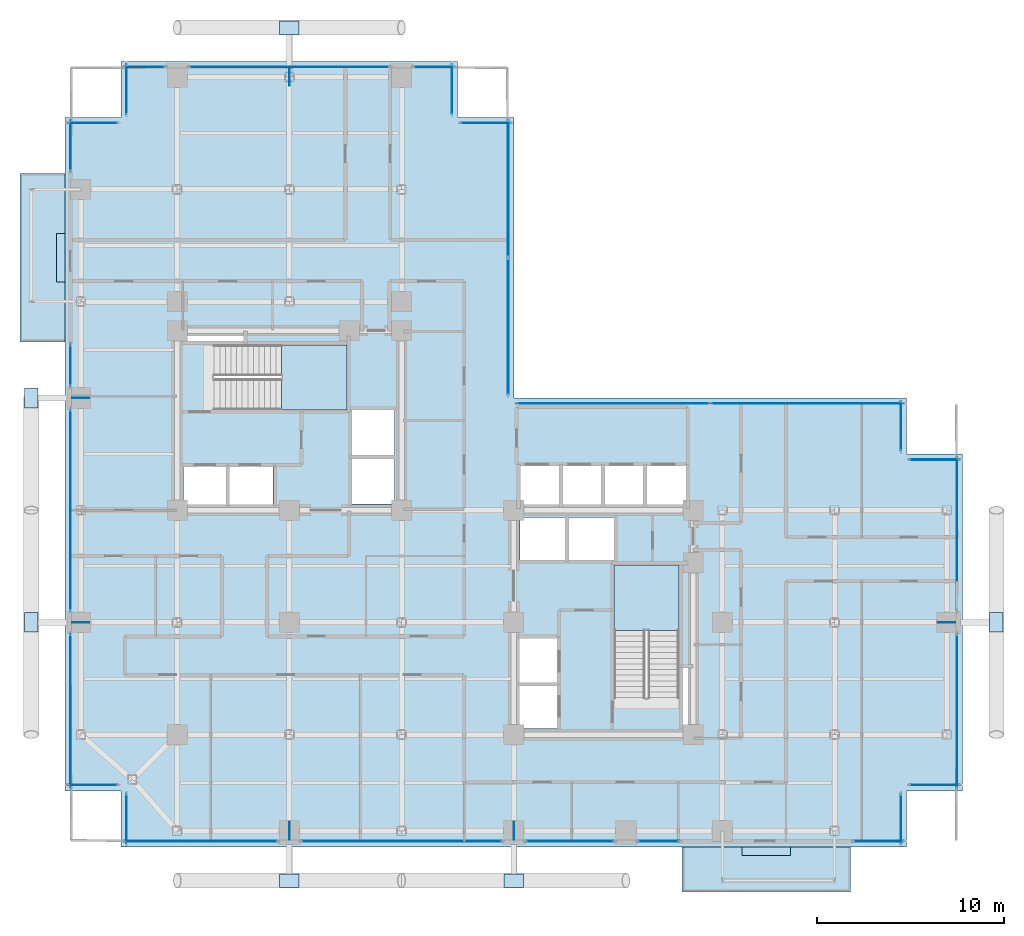
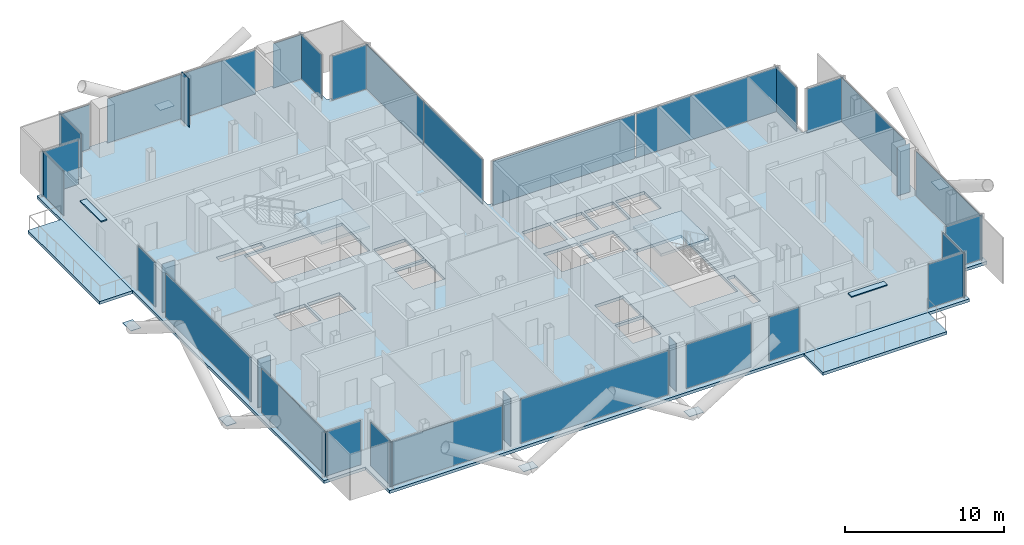
# One storey, part 18 of 28: 42 plates, 5 slabs, 28 elements without a shape of their own.
"""IFC4 building model written with IfcOpenShell, lengths in metres."""

from ifc_helpers import new_model, si_unit, direction, frame, origin, origin_2d, place, context, subcontext, project, spatial, polyline, rectangle, outline, extrude, material, layer, layer_set, type_object, element, aggregate, save


model = new_model("IFC4")

# Units and contexts
model_context = context("Model", 3, precision=1e-05, world=origin(), true_north=direction((0.0, 1.0)))
body_context = subcontext(model_context, "Body", "Model", "MODEL_VIEW")
ifc_project = project(units=[si_unit("LENGTHUNIT", "METRE"), si_unit("AREAUNIT", "SQUARE_METRE"), si_unit("VOLUMEUNIT", "CUBIC_METRE"), si_unit("PLANEANGLEUNIT", "RADIAN"), si_unit("MASSUNIT", "GRAM", prefix="KILO"), si_unit("THERMODYNAMICTEMPERATUREUNIT", "KELVIN"), si_unit("POWERUNIT", "WATT")], contexts=[model_context])

# Site, building, storey
site_placement = place(None, origin())
site = spatial("IfcSite", under=ifc_project, at=site_placement, CompositionType="ELEMENT")
building_placement = place(site_placement, origin())
building = spatial("IfcBuilding", under=site, at=building_placement, Name="Svarakhadi Broadcast Tower", CompositionType="ELEMENT")
storey_placement = place(building_placement, frame((0.0, 0.0, 138.14990234375)))
storey = spatial("IfcBuildingStorey", under=building, at=storey_placement, Name="L33", CompositionType="ELEMENT", Elevation=138.14990234375)

# Curtain wall, plate
ifc_material_1 = material(Name="Anodised Bronze Aluminium AA 6063-T6", Category="aluminium")
ifc_layer_1 = layer(ifc_material_1, 0.199951171875)
ifc_layer_set_1 = layer_set([ifc_layer_1], Name="Anodised Bronze Aluminium AA 6063-T6")
curtain_wall_type = type_object("IfcCurtainWallType", Name="CW_Sys_03", PredefinedType="NOTDEFINED", material=ifc_layer_set_1)
curtain_wall_1_placement = place(storey_placement, origin())
curtain_wall_1 = element("IfcCurtainWall", 1, at=curtain_wall_1_placement, inside=storey, type_object=curtain_wall_type, Name="L33 Unitised Facade Curtain Wall 01", PredefinedType="NOTDEFINED")
ifc_material_2 = material(Name="Double Low-E Laminated Acoustic Glass IGU 36 mm", Category="glass")
ifc_layer_2 = layer(ifc_material_2, 0.035888671875)
ifc_layer_set_2 = layer_set([ifc_layer_2], Name="Double Low-E Laminated Acoustic Glass IGU 36 mm")
plate_type_1 = type_object("IfcPlateType", Name="CW_Sys_03_Pnl", PredefinedType="CURTAIN_PANEL", material=ifc_layer_set_2)
plate_1_placement = place(storey_placement, frame((1.5, 3.300048828125, 0.0703125), z_axis=(0.0, 0.0, 1.0), x_axis=(-1.0, 0.0, 0.0)))
plate_1 = element("IfcPlate", 2, at=plate_1_placement, type_object=plate_type_1, Name="CW-03 panel 1.1", PredefinedType="CURTAIN_PANEL", context=body_context, shape_type="SweptSolid", body=[
    extrude(rectangle(XDim=2.669921875, YDim=0.035888671875, at=origin_2d()), origin(), (0.0, 0.0, 1.0), 3.385009765625),
])
aggregate(curtain_wall_1, [plate_1])

curtain_wall_2_placement = place(storey_placement, origin())
curtain_wall_2 = element("IfcCurtainWall", 3, at=curtain_wall_2_placement, inside=storey, type_object=curtain_wall_type, Name="L33 West Curtain Wall 02 Bay 1", PredefinedType="NOTDEFINED")
plate_2_placement = place(storey_placement, frame((0.300048828125, 7.260009765625, 0.0703125), z_axis=(0.0, 0.0, 1.0), x_axis=(0.0, 1.0, 0.0)))
plate_2 = element("IfcPlate", 4, at=plate_2_placement, type_object=plate_type_1, Name="CW-03 panel 1.1", PredefinedType="CURTAIN_PANEL", context=body_context, shape_type="SweptSolid", body=[
    extrude(rectangle(XDim=8.18994140625, YDim=0.035888671875, at=origin_2d()), origin(), (0.0, 0.0, 1.0), 3.385009765625),
])
aggregate(curtain_wall_2, [plate_2])

curtain_wall_3_placement = place(storey_placement, origin())
curtain_wall_3 = element("IfcCurtainWall", 5, at=curtain_wall_3_placement, inside=storey, type_object=curtain_wall_type, Name="L33 West Curtain Wall 02 Bay 2", PredefinedType="NOTDEFINED")
plate_3_placement = place(storey_placement, frame((0.300048828125, 18.0, 0.0703125), z_axis=(0.0, 0.0, 1.0), x_axis=(0.0, 1.0, 0.0)))
plate_3 = element("IfcPlate", 6, at=plate_3_placement, type_object=plate_type_1, Name="CW-03 panel 1.1", PredefinedType="CURTAIN_PANEL", context=body_context, shape_type="SweptSolid", body=[
    extrude(rectangle(XDim=10.7099609375, YDim=0.035888671875, at=origin_2d()), origin(), (0.0, 0.0, 1.0), 3.385009765625),
])
aggregate(curtain_wall_3, [plate_3])

curtain_wall_4_placement = place(storey_placement, origin())
curtain_wall_4 = element("IfcCurtainWall", 7, at=curtain_wall_4_placement, inside=storey, type_object=curtain_wall_type, Name="L33 West Curtain Wall 02 Bay 3", PredefinedType="NOTDEFINED")
plate_4_placement = place(storey_placement, frame((0.300048828125, 25.739990234375, 0.0703125), z_axis=(0.0, 0.0, 1.0), x_axis=(0.0, 1.0, 0.0)))
plate_4 = element("IfcPlate", 8, at=plate_4_placement, type_object=plate_type_1, Name="CW-03 panel 1.1", PredefinedType="CURTAIN_PANEL", context=body_context, shape_type="SweptSolid", body=[
    extrude(rectangle(XDim=2.18994140625, YDim=0.035888671875, at=origin_2d()), origin(), (0.0, 0.0, 1.0), 3.385009765625),
])
aggregate(curtain_wall_4, [plate_4])

curtain_wall_5_placement = place(storey_placement, origin())
curtain_wall_5 = element("IfcCurtainWall", 9, at=curtain_wall_5_placement, inside=storey, type_object=curtain_wall_type, Name="L33 West Curtain Wall 03", PredefinedType="NOTDEFINED")
plate_5_placement = place(storey_placement, frame((0.300048828125, 37.5, 0.0703125), z_axis=(0.0, 0.0, 1.0), x_axis=(0.0, 1.0, 0.0)))
plate_5 = element("IfcPlate", 10, at=plate_5_placement, type_object=plate_type_1, Name="CW-03 panel 1.1", PredefinedType="CURTAIN_PANEL", context=body_context, shape_type="SweptSolid", body=[
    extrude(rectangle(XDim=2.669921875, YDim=0.035888671875, at=origin_2d()), origin(), (0.0, 0.0, 1.0), 3.385009765625),
])
aggregate(curtain_wall_5, [plate_5])

curtain_wall_6_placement = place(storey_placement, origin())
curtain_wall_6 = element("IfcCurtainWall", 11, at=curtain_wall_6_placement, inside=storey, type_object=curtain_wall_type, Name="L33 Unitised Facade Curtain Wall 04", PredefinedType="NOTDEFINED")
plate_6_placement = place(storey_placement, frame((1.5, 38.699951171875, 0.0703125), z_axis=(0.0, 0.0, 1.0), x_axis=(1.0, 0.0, 0.0)))
plate_6 = element("IfcPlate", 12, at=plate_6_placement, type_object=plate_type_1, Name="CW-03 panel 1.1", PredefinedType="CURTAIN_PANEL", context=body_context, shape_type="SweptSolid", body=[
    extrude(rectangle(XDim=2.669921875, YDim=0.035888671875, at=origin_2d()), origin(), (0.0, 0.0, 1.0), 3.385009765625),
])
aggregate(curtain_wall_6, [plate_6])

curtain_wall_7_placement = place(storey_placement, origin())
curtain_wall_7 = element("IfcCurtainWall", 13, at=curtain_wall_7_placement, inside=storey, type_object=curtain_wall_type, Name="L33 Unitised Facade Curtain Wall 05", PredefinedType="NOTDEFINED")
plate_7_placement = place(storey_placement, frame((3.300048828125, 40.5, 0.0703125), z_axis=(0.0, 0.0, 1.0), x_axis=(0.0, 1.0, 0.0)))
plate_7 = element("IfcPlate", 14, at=plate_7_placement, type_object=plate_type_1, Name="CW-03 panel 1.1", PredefinedType="CURTAIN_PANEL", context=body_context, shape_type="SweptSolid", body=[
    extrude(rectangle(XDim=2.669921875, YDim=0.035888671875, at=origin_2d()), origin(), (0.0, 0.0, 1.0), 3.385009765625),
])
aggregate(curtain_wall_7, [plate_7])

curtain_wall_8_placement = place(storey_placement, origin())
curtain_wall_8 = element("IfcCurtainWall", 15, at=curtain_wall_8_placement, inside=storey, type_object=curtain_wall_type, Name="L33 Unitised Facade Curtain Wall 06 Bay 1", PredefinedType="NOTDEFINED")
plate_8_placement = place(storey_placement, frame((4.260009765625, 41.699951171875, 0.0703125), z_axis=(0.0, 0.0, 1.0), x_axis=(1.0, 0.0, 0.0)))
plate_8 = element("IfcPlate", 16, at=plate_8_placement, type_object=plate_type_1, Name="CW-03 panel 1.1", PredefinedType="CURTAIN_PANEL", context=body_context, shape_type="SweptSolid", body=[
    extrude(rectangle(XDim=2.18994140625, YDim=0.035888671875, at=origin_2d()), origin(), (0.0, 0.0, 1.0), 3.385009765625),
])
aggregate(curtain_wall_8, [plate_8])

curtain_wall_9_placement = place(storey_placement, origin())
curtain_wall_9 = element("IfcCurtainWall", 17, at=curtain_wall_9_placement, inside=storey, type_object=curtain_wall_type, Name="L33 Unitised Facade Curtain Wall 06 Bay 2", PredefinedType="NOTDEFINED")
plate_9_placement = place(storey_placement, frame((12.0, 41.699951171875, 0.0703125), z_axis=(0.0, 0.0, 1.0), x_axis=(1.0, 0.0, 0.0)))
plate_9 = element("IfcPlate", 18, at=plate_9_placement, type_object=plate_type_1, Name="CW-03 panel 1.1", PredefinedType="CURTAIN_PANEL", context=body_context, shape_type="SweptSolid", body=[
    extrude(rectangle(XDim=10.7099609375, YDim=0.035888671875, at=origin_2d()), origin(), (0.0, 0.0, 1.0), 3.385009765625),
])
aggregate(curtain_wall_9, [plate_9])

curtain_wall_10_placement = place(storey_placement, origin())
curtain_wall_10 = element("IfcCurtainWall", 19, at=curtain_wall_10_placement, inside=storey, type_object=curtain_wall_type, Name="L33 Unitised Facade Curtain Wall 06 Bay 3", PredefinedType="NOTDEFINED")
plate_10_placement = place(storey_placement, frame((19.739990234375, 41.699951171875, 0.0703125), z_axis=(0.0, 0.0, 1.0), x_axis=(1.0, 0.0, 0.0)))
plate_10 = element("IfcPlate", 20, at=plate_10_placement, type_object=plate_type_1, Name="CW-03 panel 1.1", PredefinedType="CURTAIN_PANEL", context=body_context, shape_type="SweptSolid", body=[
    extrude(rectangle(XDim=2.18994140625, YDim=0.035888671875, at=origin_2d()), origin(), (0.0, 0.0, 1.0), 3.385009765625),
])
aggregate(curtain_wall_10, [plate_10])

curtain_wall_11_placement = place(storey_placement, origin())
curtain_wall_11 = element("IfcCurtainWall", 21, at=curtain_wall_11_placement, inside=storey, type_object=curtain_wall_type, Name="L33 Unitised Facade Curtain Wall 07", PredefinedType="NOTDEFINED")
plate_11_placement = place(storey_placement, frame((20.699951171875, 40.5, 0.0703125), z_axis=(0.0, 0.0, 1.0), x_axis=(0.0, -1.0, 0.0)))
plate_11 = element("IfcPlate", 22, at=plate_11_placement, type_object=plate_type_1, Name="CW-03 panel 1.1", PredefinedType="CURTAIN_PANEL", context=body_context, shape_type="SweptSolid", body=[
    extrude(rectangle(XDim=2.669921875, YDim=0.035888671875, at=origin_2d()), origin(), (0.0, 0.0, 1.0), 3.385009765625),
])
aggregate(curtain_wall_11, [plate_11])

curtain_wall_12_placement = place(storey_placement, origin())
curtain_wall_12 = element("IfcCurtainWall", 23, at=curtain_wall_12_placement, inside=storey, type_object=curtain_wall_type, Name="L33 Unitised Facade Curtain Wall 08", PredefinedType="NOTDEFINED")
plate_12_placement = place(storey_placement, frame((22.5, 38.699951171875, 0.0703125), z_axis=(0.0, 0.0, 1.0), x_axis=(1.0, 0.0, 0.0)))
plate_12 = element("IfcPlate", 24, at=plate_12_placement, type_object=plate_type_1, Name="CW-03 panel 1.1", PredefinedType="CURTAIN_PANEL", context=body_context, shape_type="SweptSolid", body=[
    extrude(rectangle(XDim=2.669921875, YDim=0.035888671875, at=origin_2d()), origin(), (0.0, 0.0, 1.0), 3.385009765625),
])
aggregate(curtain_wall_12, [plate_12])

# Curtain wall, plates
curtain_wall_13_placement = place(storey_placement, origin())
curtain_wall_13 = element("IfcCurtainWall", 25, at=curtain_wall_13_placement, inside=storey, type_object=curtain_wall_type, Name="L33 Unitised Facade Curtain Wall 09", PredefinedType="NOTDEFINED")
plate_13_placement = place(storey_placement, frame((23.699951171875, 35.186279296875, 0.0703125), z_axis=(0.0, 0.0, 1.0), x_axis=(0.0, -1.0, 0.0)))
plate_13 = element("IfcPlate", 26, at=plate_13_placement, type_object=plate_type_1, Name="CW-03 panel 1.1", PredefinedType="CURTAIN_PANEL", context=body_context, shape_type="SweptSolid", body=[
    extrude(rectangle(XDim=7.297607421875, YDim=0.035888671875, at=origin_2d()), origin(), (0.0, 0.0, 1.0), 3.385009765625),
])
plate_14_placement = place(storey_placement, frame((23.699951171875, 27.813720703125, 0.0703125), z_axis=(0.0, 0.0, 1.0), x_axis=(0.0, -1.0, 0.0)))
plate_14 = element("IfcPlate", 27, at=plate_14_placement, type_object=plate_type_1, Name="CW-03 panel 2.1", PredefinedType="CURTAIN_PANEL", context=body_context, shape_type="SweptSolid", body=[
    extrude(rectangle(XDim=7.297607421875, YDim=0.035888671875, at=origin_2d()), origin(), (0.0, 0.0, 1.0), 3.385009765625),
])
aggregate(curtain_wall_13, [plate_13, plate_14])

curtain_wall_14_placement = place(storey_placement, origin())
curtain_wall_14 = element("IfcCurtainWall", 28, at=curtain_wall_14_placement, inside=storey, type_object=curtain_wall_type, Name="L33 Unitised Facade Curtain Wall 10", PredefinedType="NOTDEFINED")
plate_15_placement = place(storey_placement, frame((29.313720703125, 23.699951171875, 0.0703125), z_axis=(0.0, 0.0, 1.0), x_axis=(1.0, 0.0, 0.0)))
plate_15 = element("IfcPlate", 29, at=plate_15_placement, type_object=plate_type_1, Name="CW-03 panel 1.1", PredefinedType="CURTAIN_PANEL", context=body_context, shape_type="SweptSolid", body=[
    extrude(rectangle(XDim=10.297607421875, YDim=0.035888671875, at=origin_2d()), origin(), (0.0, 0.0, 1.0), 3.385009765625),
])
plate_16_placement = place(storey_placement, frame((39.686279296875, 23.699951171875, 0.0703125), z_axis=(0.0, 0.0, 1.0), x_axis=(1.0, 0.0, 0.0)))
plate_16 = element("IfcPlate", 30, at=plate_16_placement, type_object=plate_type_1, Name="CW-03 panel 2.1", PredefinedType="CURTAIN_PANEL", context=body_context, shape_type="SweptSolid", body=[
    extrude(rectangle(XDim=10.297607421875, YDim=0.035888671875, at=origin_2d()), origin(), (0.0, 0.0, 1.0), 3.385009765625),
])
aggregate(curtain_wall_14, [plate_15, plate_16])

# Curtain wall, plate
curtain_wall_15_placement = place(storey_placement, origin())
curtain_wall_15 = element("IfcCurtainWall", 31, at=curtain_wall_15_placement, inside=storey, type_object=curtain_wall_type, Name="L33 Unitised Facade Curtain Wall 11", PredefinedType="NOTDEFINED")
plate_17_placement = place(storey_placement, frame((44.699951171875, 22.5, 0.0703125), z_axis=(0.0, 0.0, 1.0), x_axis=(0.0, -1.0, 0.0)))
plate_17 = element("IfcPlate", 32, at=plate_17_placement, type_object=plate_type_1, Name="CW-03 panel 1.1", PredefinedType="CURTAIN_PANEL", context=body_context, shape_type="SweptSolid", body=[
    extrude(rectangle(XDim=2.669921875, YDim=0.035888671875, at=origin_2d()), origin(), (0.0, 0.0, 1.0), 3.385009765625),
])
aggregate(curtain_wall_15, [plate_17])

curtain_wall_16_placement = place(storey_placement, origin())
curtain_wall_16 = element("IfcCurtainWall", 33, at=curtain_wall_16_placement, inside=storey, type_object=curtain_wall_type, Name="L33 Unitised Facade Curtain Wall 12", PredefinedType="NOTDEFINED")
plate_18_placement = place(storey_placement, frame((46.5, 20.699951171875, 0.0703125), z_axis=(0.0, 0.0, 1.0), x_axis=(1.0, 0.0, 0.0)))
plate_18 = element("IfcPlate", 34, at=plate_18_placement, type_object=plate_type_1, Name="CW-03 panel 1.1", PredefinedType="CURTAIN_PANEL", context=body_context, shape_type="SweptSolid", body=[
    extrude(rectangle(XDim=2.669921875, YDim=0.035888671875, at=origin_2d()), origin(), (0.0, 0.0, 1.0), 3.385009765625),
])
aggregate(curtain_wall_16, [plate_18])

curtain_wall_17_placement = place(storey_placement, origin())
curtain_wall_17 = element("IfcCurtainWall", 35, at=curtain_wall_17_placement, inside=storey, type_object=curtain_wall_type, Name="L33 Unitised Facade Curtain Wall 13 Bay 1", PredefinedType="NOTDEFINED")
plate_19_placement = place(storey_placement, frame((47.699951171875, 16.739990234375, 0.0703125), z_axis=(0.0, 0.0, 1.0), x_axis=(0.0, -1.0, 0.0)))
plate_19 = element("IfcPlate", 36, at=plate_19_placement, type_object=plate_type_1, Name="CW-03 panel 1.1", PredefinedType="CURTAIN_PANEL", context=body_context, shape_type="SweptSolid", body=[
    extrude(rectangle(XDim=8.18994140625, YDim=0.035888671875, at=origin_2d()), origin(), (0.0, 0.0, 1.0), 3.385009765625),
])
aggregate(curtain_wall_17, [plate_19])

curtain_wall_18_placement = place(storey_placement, origin())
curtain_wall_18 = element("IfcCurtainWall", 37, at=curtain_wall_18_placement, inside=storey, type_object=curtain_wall_type, Name="L33 Unitised Facade Curtain Wall 13 Bay 2", PredefinedType="NOTDEFINED")
plate_20_placement = place(storey_placement, frame((47.699951171875, 7.260009765625, 0.0703125), z_axis=(0.0, 0.0, 1.0), x_axis=(0.0, -1.0, 0.0)))
plate_20 = element("IfcPlate", 38, at=plate_20_placement, type_object=plate_type_1, Name="CW-03 panel 1.1", PredefinedType="CURTAIN_PANEL", context=body_context, shape_type="SweptSolid", body=[
    extrude(rectangle(XDim=8.18994140625, YDim=0.035888671875, at=origin_2d()), origin(), (0.0, 0.0, 1.0), 3.385009765625),
])
aggregate(curtain_wall_18, [plate_20])

curtain_wall_19_placement = place(storey_placement, origin())
curtain_wall_19 = element("IfcCurtainWall", 39, at=curtain_wall_19_placement, inside=storey, type_object=curtain_wall_type, Name="L33 Unitised Facade Curtain Wall 14", PredefinedType="NOTDEFINED")
plate_21_placement = place(storey_placement, frame((46.5, 3.300048828125, 0.0703125), z_axis=(0.0, 0.0, 1.0), x_axis=(-1.0, 0.0, 0.0)))
plate_21 = element("IfcPlate", 40, at=plate_21_placement, type_object=plate_type_1, Name="CW-03 panel 1.1", PredefinedType="CURTAIN_PANEL", context=body_context, shape_type="SweptSolid", body=[
    extrude(rectangle(XDim=2.669921875, YDim=0.035888671875, at=origin_2d()), origin(), (0.0, 0.0, 1.0), 3.385009765625),
])
aggregate(curtain_wall_19, [plate_21])

curtain_wall_20_placement = place(storey_placement, origin())
curtain_wall_20 = element("IfcCurtainWall", 41, at=curtain_wall_20_placement, inside=storey, type_object=curtain_wall_type, Name="L33 Unitised Facade Curtain Wall 15", PredefinedType="NOTDEFINED")
plate_22_placement = place(storey_placement, frame((44.699951171875, 1.5, 0.0703125), z_axis=(0.0, 0.0, 1.0), x_axis=(0.0, -1.0, 0.0)))
plate_22 = element("IfcPlate", 42, at=plate_22_placement, type_object=plate_type_1, Name="CW-03 panel 1.1", PredefinedType="CURTAIN_PANEL", context=body_context, shape_type="SweptSolid", body=[
    extrude(rectangle(XDim=2.669921875, YDim=0.035888671875, at=origin_2d()), origin(), (0.0, 0.0, 1.0), 3.385009765625),
])
aggregate(curtain_wall_20, [plate_22])

curtain_wall_21_placement = place(storey_placement, origin())
curtain_wall_21 = element("IfcCurtainWall", 43, at=curtain_wall_21_placement, inside=storey, type_object=curtain_wall_type, Name="L33 South Curtain Wall 16", PredefinedType="NOTDEFINED")
plate_23_placement = place(storey_placement, frame((43.5, 0.300048828125, 0.0703125), z_axis=(0.0, 0.0, 1.0), x_axis=(-1.0, 0.0, 0.0)))
plate_23 = element("IfcPlate", 44, at=plate_23_placement, type_object=plate_type_1, Name="CW-03 panel 1.1", PredefinedType="CURTAIN_PANEL", context=body_context, shape_type="SweptSolid", body=[
    extrude(rectangle(XDim=2.669921875, YDim=0.035888671875, at=origin_2d()), origin(), (0.0, 0.0, 1.0), 3.385009765625),
])
aggregate(curtain_wall_21, [plate_23])

curtain_wall_22_placement = place(storey_placement, origin())
curtain_wall_22 = element("IfcCurtainWall", 45, at=curtain_wall_22_placement, inside=storey, type_object=curtain_wall_type, Name="L33 South Curtain Wall 17 Bay 1", PredefinedType="NOTDEFINED")
plate_24_placement = place(storey_placement, frame((31.739990234375, 0.300048828125, 0.0703125), z_axis=(0.0, 0.0, 1.0), x_axis=(-1.0, 0.0, 0.0)))
plate_24 = element("IfcPlate", 46, at=plate_24_placement, type_object=plate_type_1, Name="CW-03 panel 1.1", PredefinedType="CURTAIN_PANEL", context=body_context, shape_type="SweptSolid", body=[
    extrude(rectangle(XDim=2.18994140625, YDim=0.035888671875, at=origin_2d()), origin(), (0.0, 0.0, 1.0), 3.385009765625),
])
aggregate(curtain_wall_22, [plate_24])

curtain_wall_23_placement = place(storey_placement, origin())
curtain_wall_23 = element("IfcCurtainWall", 47, at=curtain_wall_23_placement, inside=storey, type_object=curtain_wall_type, Name="L33 South Curtain Wall 17 Bay 2", PredefinedType="NOTDEFINED")
plate_25_placement = place(storey_placement, frame((27.0, 0.300048828125, 0.0703125), z_axis=(0.0, 0.0, 1.0), x_axis=(-1.0, 0.0, 0.0)))
plate_25 = element("IfcPlate", 48, at=plate_25_placement, type_object=plate_type_1, Name="CW-03 panel 1.1", PredefinedType="CURTAIN_PANEL", context=body_context, shape_type="SweptSolid", body=[
    extrude(rectangle(XDim=4.7099609375, YDim=0.035888671875, at=origin_2d()), origin(), (0.0, 0.0, 1.0), 3.385009765625),
])
aggregate(curtain_wall_23, [plate_25])

curtain_wall_24_placement = place(storey_placement, origin())
curtain_wall_24 = element("IfcCurtainWall", 49, at=curtain_wall_24_placement, inside=storey, type_object=curtain_wall_type, Name="L33 South Curtain Wall 17 Bay 3", PredefinedType="NOTDEFINED")
plate_26_placement = place(storey_placement, frame((18.0, 0.300048828125, 0.0703125), z_axis=(0.0, 0.0, 1.0), x_axis=(-1.0, 0.0, 0.0)))
plate_26 = element("IfcPlate", 50, at=plate_26_placement, type_object=plate_type_1, Name="CW-03 panel 1.1", PredefinedType="CURTAIN_PANEL", context=body_context, shape_type="SweptSolid", body=[
    extrude(rectangle(XDim=10.7099609375, YDim=0.035888671875, at=origin_2d()), origin(), (0.0, 0.0, 1.0), 3.385009765625),
])
aggregate(curtain_wall_24, [plate_26])

curtain_wall_25_placement = place(storey_placement, origin())
curtain_wall_25 = element("IfcCurtainWall", 51, at=curtain_wall_25_placement, inside=storey, type_object=curtain_wall_type, Name="L33 South Curtain Wall 17 Bay 4", PredefinedType="NOTDEFINED")
plate_27_placement = place(storey_placement, frame((7.260009765625, 0.300048828125, 0.0703125), z_axis=(0.0, 0.0, 1.0), x_axis=(-1.0, 0.0, 0.0)))
plate_27 = element("IfcPlate", 52, at=plate_27_placement, type_object=plate_type_1, Name="CW-03 panel 1.1", PredefinedType="CURTAIN_PANEL", context=body_context, shape_type="SweptSolid", body=[
    extrude(rectangle(XDim=8.18994140625, YDim=0.035888671875, at=origin_2d()), origin(), (0.0, 0.0, 1.0), 3.385009765625),
])
aggregate(curtain_wall_25, [plate_27])

curtain_wall_26_placement = place(storey_placement, origin())
curtain_wall_26 = element("IfcCurtainWall", 53, at=curtain_wall_26_placement, inside=storey, type_object=curtain_wall_type, Name="L33 Unitised Facade Curtain Wall 18", PredefinedType="NOTDEFINED")
plate_28_placement = place(storey_placement, frame((3.300048828125, 1.5, 0.0703125), z_axis=(0.0, 0.0, 1.0), x_axis=(0.0, 1.0, 0.0)))
plate_28 = element("IfcPlate", 54, at=plate_28_placement, type_object=plate_type_1, Name="CW-03 panel 1.1", PredefinedType="CURTAIN_PANEL", context=body_context, shape_type="SweptSolid", body=[
    extrude(rectangle(XDim=2.669921875, YDim=0.035888671875, at=origin_2d()), origin(), (0.0, 0.0, 1.0), 3.385009765625),
])
aggregate(curtain_wall_26, [plate_28])

# Plates
ifc_material_3 = material(Name="Steel S460ML (IS 2062 E450BR)", Category="steel")
ifc_layer_3 = layer(ifc_material_3, 0.031982421875)
ifc_layer_set_3 = layer_set([ifc_layer_3], Name="Steel S460ML (IS 2062 E450BR)")
plate_type_2 = type_object("IfcPlateType", Name="Node_Gusset_N02", PredefinedType="SHEET", material=ifc_layer_set_3)
for number, where, z_axis, x_axis, name in (
    (55, (12.0, -1.800048828125, -0.22509765625), (0.0, 0.0, 1.0), (1.0, 0.0, 0.0), "L33 Exoskeleton Gusset Node Plate S01"),
    (56, (24.0, -1.800048828125, -0.22509765625), (0.0, 0.0, 1.0), (1.0, 0.0, 0.0), "L33 Exoskeleton Gusset Node Plate S02"),
    (57, (-1.800048828125, 12.0, -0.22509765625), (0.0, 0.0, 1.0), (0.0, 1.0, 0.0), "L33 Exoskeleton Gusset Node Plate W03"),
    (58, (-1.800048828125, 24.0, -0.22509765625), (0.0, 0.0, 1.0), (0.0, 1.0, 0.0), "L33 Exoskeleton Gusset Node Plate W04"),
    (59, (49.800048828125, 12.0, -0.22509765625), (0.0, 0.0, 1.0), (0.0, 1.0, 0.0), "L33 Exoskeleton Gusset Node Plate E05"),
    (60, (12.0, 43.800048828125, -0.22509765625), (0.0, 0.0, 1.0), (1.0, 0.0, 0.0), "L33 Exoskeleton Gusset Node Plate N06"),
):
    element("IfcPlate", number, at=place(storey_placement, frame(where, z_axis=z_axis, x_axis=x_axis)), inside=storey, type_object=plate_type_2, Name=name, PredefinedType="SHEET", context=body_context, shape_type="SweptSolid", body=[
        extrude(rectangle(XDim=1.050048828125, YDim=0.719970703125, at=origin_2d()), origin(), (0.0, 0.0, 1.0), 0.031982421875),
    ])
ifc_layer_4 = layer(ifc_material_3, 0.02587890625)
ifc_layer_set_4 = layer_set([ifc_layer_4], Name="Steel S460ML (IS 2062 E450BR)")
plate_type_3 = type_object("IfcPlateType", Name="Node_Gusset_N07", PredefinedType="SHEET", material=ifc_layer_set_4)
for number, where, z_axis, x_axis, name in (
    (61, (12.0, 0.85009765625, -0.5869140625), (0.0, 0.0, 1.0), (0.0, 1.0, 0.0), "L33 Brace End Connection Gusset Plate N-07-E0270"),
    (62, (24.0, 0.85009765625, -0.5869140625), (0.0, 0.0, 1.0), (0.0, 1.0, 0.0), "L33 Brace End Connection Gusset Plate N-07-E0271"),
    (63, (0.85009765625, 12.0, -0.5869140625), (0.0, 0.0, 1.0), (1.0, 0.0, 0.0), "L33 Brace End Connection Gusset Plate N-07-E0272"),
    (64, (0.85009765625, 24.0, -0.5869140625), (0.0, 0.0, 1.0), (1.0, 0.0, 0.0), "L33 Brace End Connection Gusset Plate N-07-E0273"),
    (65, (47.14990234375, 12.0, -0.5869140625), (0.0, 0.0, 1.0), (1.0, 0.0, 0.0), "L33 Brace End Connection Gusset Plate N-07-E0274"),
    (66, (12.0, 41.14990234375, -0.5869140625), (0.0, 0.0, 1.0), (0.0, 1.0, 0.0), "L33 Brace End Connection Gusset Plate N-07-E0275"),
):
    element("IfcPlate", number, at=place(storey_placement, frame(where, z_axis=z_axis, x_axis=x_axis)), inside=storey, type_object=plate_type_3, Name=name, PredefinedType="SHEET", context=body_context, shape_type="SweptSolid", body=[
        extrude(rectangle(XDim=0.919921875, YDim=0.02587890625, at=origin_2d()), origin(), (0.0, 0.0, 1.0), 4.300048828125),
    ])

# Slab
ifc_material_4 = material(Name="Concrete C40/50 (IS 456 M50)", Category="concrete")
ifc_layer_5 = layer(ifc_material_4, 0.22509765625)
ifc_layer_set_5 = layer_set([ifc_layer_5], Name="Concrete C40/50 (IS 456 M50)")
slab_type_1 = type_object("IfcSlabType", Name="Slab_Floor_225", PredefinedType="FLOOR", material=ifc_layer_set_5)
slab_1_placement = place(storey_placement, frame((0.0, 0.0, -0.224853515625)))
element("IfcSlab", 67, at=slab_1_placement, inside=storey, type_object=slab_type_1, Name="L33 Structural Floor Slab", PredefinedType="FLOOR", context=body_context, shape_type="SweptSolid", body=[
    extrude(outline(polyline([(3.0, 0.0), (45.0, 0.0), (45.0, 3.0), (48.0, 3.0), (48.0, 21.0), (45.0, 21.0), (45.0, 24.0), (24.0, 24.0), (24.0, 39.0), (21.0, 39.0), (21.0, 42.0), (3.0, 42.0), (3.0, 39.0), (0.0, 39.0), (0.0, 3.0), (3.0, 3.0), (3.0, 0.0)]), holes=[polyline([(7.97998046875, 23.360107421875), (15.080078125, 23.360107421875), (15.080078125, 26.840087890625), (7.97998046875, 26.840087890625), (7.97998046875, 23.360107421875)]), polyline([(32.840087890625, 7.97998046875), (32.840087890625, 15.080078125), (29.360107421875, 15.080078125), (29.360107421875, 7.97998046875), (32.840087890625, 7.97998046875)]), polyline([(6.340087890625, 18.2900390625), (8.610107421875, 18.2900390625), (8.610107421875, 20.330078125), (6.340087890625, 20.330078125), (6.340087890625, 18.2900390625)]), polyline([(8.7900390625, 18.2900390625), (11.1298828125, 18.2900390625), (11.1298828125, 20.330078125), (8.7900390625, 20.330078125), (8.7900390625, 18.2900390625)]), polyline([(24.2900390625, 6.340087890625), (26.330078125, 6.340087890625), (26.330078125, 8.610107421875), (24.2900390625, 8.610107421875), (24.2900390625, 6.340087890625)]), polyline([(24.2900390625, 8.7900390625), (26.330078125, 8.7900390625), (26.330078125, 11.1298828125), (24.2900390625, 11.1298828125), (24.2900390625, 8.7900390625)]), polyline([(6.340087890625, 26.989990234375), (9.610107421875, 26.989990234375), (9.610107421875, 27.530029296875), (6.340087890625, 27.530029296875), (6.340087890625, 26.989990234375)]), polyline([(32.989990234375, 6.340087890625), (33.530029296875, 6.340087890625), (33.530029296875, 9.610107421875), (32.989990234375, 9.610107421875), (32.989990234375, 6.340087890625)]), polyline([(15.340087890625, 18.340087890625), (17.610107421875, 18.340087890625), (17.610107421875, 20.760009765625), (15.340087890625, 20.760009765625), (15.340087890625, 18.340087890625)]), polyline([(15.340087890625, 20.93994140625), (17.610107421875, 20.93994140625), (17.610107421875, 23.360107421875), (15.340087890625, 23.360107421875), (15.340087890625, 20.93994140625)]), polyline([(24.340087890625, 15.340087890625), (26.760009765625, 15.340087890625), (26.760009765625, 17.610107421875), (24.340087890625, 17.610107421875), (24.340087890625, 15.340087890625)]), polyline([(26.93994140625, 15.340087890625), (29.360107421875, 15.340087890625), (29.360107421875, 17.610107421875), (26.93994140625, 17.610107421875), (26.93994140625, 15.340087890625)]), polyline([(24.340087890625, 18.239990234375), (26.429931640625, 18.239990234375), (26.429931640625, 20.360107421875), (24.340087890625, 20.360107421875), (24.340087890625, 18.239990234375)]), polyline([(26.610107421875, 18.239990234375), (28.679931640625, 18.239990234375), (28.679931640625, 20.360107421875), (26.610107421875, 20.360107421875), (26.610107421875, 18.239990234375)]), polyline([(28.860107421875, 18.239990234375), (30.929931640625, 18.239990234375), (30.929931640625, 20.360107421875), (28.860107421875, 20.360107421875), (28.860107421875, 18.239990234375)]), polyline([(31.110107421875, 18.239990234375), (33.2099609375, 18.239990234375), (33.2099609375, 20.360107421875), (31.110107421875, 20.360107421875), (31.110107421875, 18.239990234375)])]), origin(), (0.0, 0.0, 1.0), 0.224853515625),
])

# Stair, slab
stair_type = type_object("IfcStairType", Name="Stair_Exit_Core", PredefinedType="HALF_TURN_STAIR", material=ifc_material_4)
stair_1_placement = place(storey_placement, origin())
stair_1 = element("IfcStair", 68, at=stair_1_placement, inside=storey, type_object=stair_type, Name="L33 West Core Protected Exit Stair ST-01", PredefinedType="HALF_TURN_STAIR")
ifc_layer_6 = layer(ifc_material_4, 0.199951171875)
ifc_layer_set_6 = layer_set([ifc_layer_6], Name="Concrete C40/50 (IS 456 M50)")
slab_type_2 = type_object("IfcSlabType", Name="Slab_Stair_Land", PredefinedType="LANDING", material=ifc_layer_set_6)
slab_2_placement = place(storey_placement, frame((0.0, 0.0, 1.675048828125)))
slab_2 = element("IfcSlab", 69, at=slab_2_placement, type_object=slab_type_2, Name="ST-01 landing 1", PredefinedType="LANDING", context=body_context, shape_type="SweptSolid", body=[
    extrude(outline(polyline([(11.580078125, 23.360107421875), (15.080078125, 23.360107421875), (15.080078125, 26.840087890625), (11.580078125, 26.840087890625), (11.580078125, 23.360107421875)])), origin(), (0.0, 0.0, 1.0), 0.199951171875),
])
aggregate(stair_1, [slab_2])

stair_2_placement = place(storey_placement, origin())
stair_2 = element("IfcStair", 70, at=stair_2_placement, inside=storey, type_object=stair_type, Name="L33 East Core Protected Exit Stair ST-02", PredefinedType="HALF_TURN_STAIR")
slab_3_placement = place(storey_placement, frame((0.0, 0.0, 1.675048828125)))
slab_3 = element("IfcSlab", 71, at=slab_3_placement, type_object=slab_type_2, Name="ST-02 landing 1", PredefinedType="LANDING", context=body_context, shape_type="SweptSolid", body=[
    extrude(outline(polyline([(32.840087890625, 11.580078125), (32.840087890625, 15.080078125), (29.360107421875, 15.080078125), (29.360107421875, 11.580078125), (32.840087890625, 11.580078125)])), origin(), (0.0, 0.0, 1.0), 0.199951171875),
])
aggregate(stair_2, [slab_3])

# Slabs
ifc_layer_7 = layer(ifc_material_4, 0.22509765625)
ifc_layer_set_7 = layer_set([ifc_layer_7], Name="Concrete C40/50 (IS 456 M50)")
slab_type_3 = type_object("IfcSlabType", Name="Slab_TreeBalcony", PredefinedType="FLOOR", material=ifc_layer_set_7)
slab_4_placement = place(storey_placement, frame((0.0, 0.0, -0.224853515625)))
element("IfcSlab", 72, at=slab_4_placement, inside=storey, type_object=slab_type_3, Name="L33 Planted Tree Balcony Slab BAL-E", PredefinedType="FLOOR", context=body_context, shape_type="SweptSolid", body=[
    extrude(outline(polyline([(33.0, -2.39990234375), (42.0, -2.39990234375), (42.0, 0.0), (33.0, 0.0), (33.0, -2.39990234375)])), origin(), (0.0, 0.0, 1.0), 0.224853515625),
])
slab_5_placement = place(storey_placement, frame((0.0, 0.0, -0.224853515625)))
element("IfcSlab", 73, at=slab_5_placement, inside=storey, type_object=slab_type_3, Name="L33 Planted Tree Balcony Slab BAL-N", PredefinedType="FLOOR", context=body_context, shape_type="SweptSolid", body=[
    extrude(outline(polyline([(-2.39990234375, 27.0), (0.0, 27.0), (0.0, 36.0), (-2.39990234375, 36.0), (-2.39990234375, 27.0)])), origin(), (0.0, 0.0, 1.0), 0.224853515625),
])

# Plates
ifc_layer_8 = layer(ifc_material_1, 0.080078125)
ifc_layer_set_8 = layer_set([ifc_layer_8], Name="Anodised Bronze Aluminium AA 6063-T6")
plate_type_4 = type_object("IfcPlateType", Name="Sunshade_Fin_SS01", PredefinedType="USERDEFINED", material=ifc_layer_set_8)
for number, where, z_axis, x_axis, name in (
    (74, (37.5, -0.22509765625, 3.445068359375), (0.0, 0.0, 1.0), (1.0, 0.0, 0.0), "L33 South Bronze Brise-Soleil Sunshade SS-01"),
    (75, (-0.22509765625, 31.5, 3.445068359375), (0.0, 0.0, 1.0), (0.0, 1.0, 0.0), "L33 West Bronze Brise-Soleil Sunshade SS-01"),
):
    element("IfcPlate", number, at=place(storey_placement, frame(where, z_axis=z_axis, x_axis=x_axis)), inside=storey, type_object=plate_type_4, Name=name, ObjectType="SUNSHADE", PredefinedType="USERDEFINED", context=body_context, shape_type="SweptSolid", body=[
        extrude(rectangle(XDim=2.60009765625, YDim=0.449951171875, at=origin_2d()), origin(), (0.0, 0.0, 1.0), 0.080078125),
    ])

save(model, "model.ifc")
